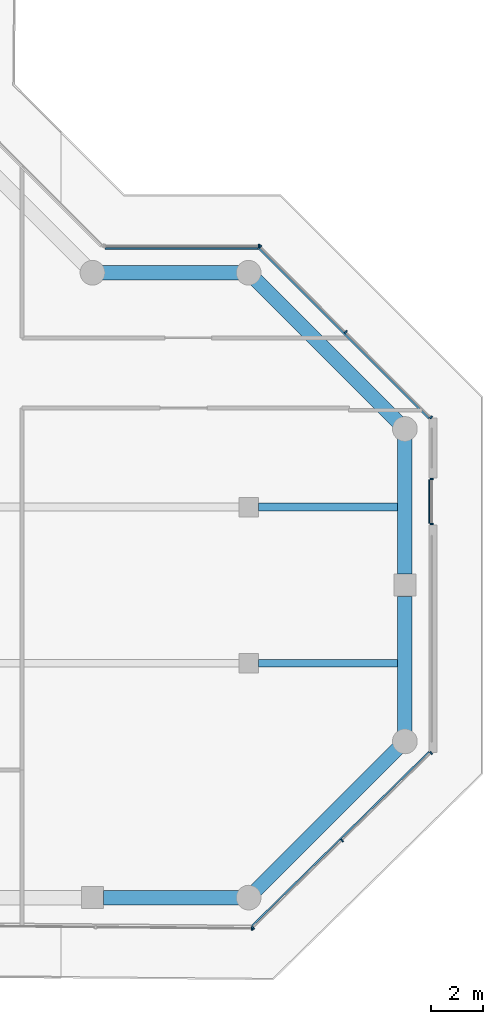
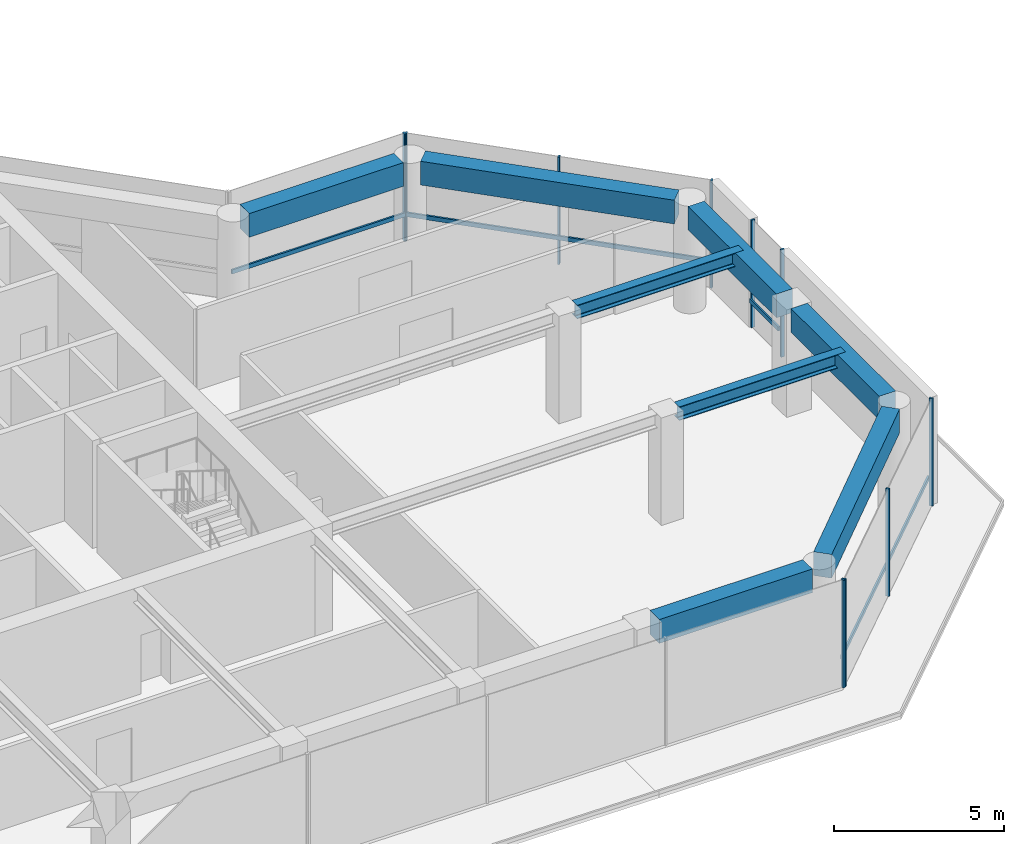
# One storey, part 6 of 19: 14 members, 8 beams, 5 elements without a shape of their own.
"""IFC4 building model written with IfcOpenShell, lengths in metres."""

import ifcopenshell
import ifcopenshell.guid

model = None  # the IFC model being written
_history = None  # IfcOwnerHistory: only IFC2X3 demands one
_inside = {}  # id of a spatial element -> (the spatial element, [elements in it])
_under = {}  # id of a project, library or spatial element -> (it, [spatial elements below it])
_declared = {}  # id of a project -> (the project, [libraries it declares])
_typed = {}  # id of a type object -> (the type object, [elements of that type])
_made_of = {}  # id of a material, layer set ... -> (it, [elements and type objects made of it])


def new_model(schema):
    """Start an empty IFC model of exactly this schema.

    Asked for "IFC4X3", IfcOpenShell would pick the latest addendum, in which some entities
    have other attributes; the version numbers below select the first issue.
    IFC2X3 requires an IfcOwnerHistory on every rooted entity: one is made here for all.
    """
    global model, _history
    if schema == "IFC4X3":
        model = ifcopenshell.file(schema_version=(4, 3, 0, 0))
    else:
        model = ifcopenshell.file(schema=schema)
    _inside.clear()
    _under.clear()
    _declared.clear()
    _typed.clear()
    _made_of.clear()
    _history = None
    if model.schema == "IFC2X3":
        org = make("IfcOrganization", Name="unknown")
        user = make(
            "IfcPersonAndOrganization",
            ThePerson=make("IfcPerson", FamilyName="unknown"),
            TheOrganization=org,
        )
        app = make(
            "IfcApplication",
            ApplicationDeveloper=org,
            Version="unknown",
            ApplicationFullName="unknown",
            ApplicationIdentifier="unknown",
        )
        _history = make(
            "IfcOwnerHistory",
            OwningUser=user,
            OwningApplication=app,
            ChangeAction="ADDED",
            CreationDate=0,
        )
    return model


def make(cls, **values):
    """One entity of the class cls with the attributes given. An attribute that is None is left unset."""
    return model.create_entity(
        cls, **{name: value for name, value in values.items() if value is not None}
    )


def rooted(cls, **values):
    """An entity with a GlobalId (a new one), such as an element, a storey or a relation."""
    return make(cls, GlobalId=ifcopenshell.guid.new(), OwnerHistory=_history, **values)


def si_unit(unit_type, name, prefix=None):
    """IfcSIUnit, for example si_unit("LENGTHUNIT", "METRE", prefix="MILLI")."""
    return make("IfcSIUnit", UnitType=unit_type, Prefix=prefix, Name=name)


def assignment(units):
    """IfcUnitAssignment: the units of a project."""
    return None if units is None else make("IfcUnitAssignment", Units=units)


def point(xyz):
    """IfcCartesianPoint."""
    return None if xyz is None else make("IfcCartesianPoint", Coordinates=xyz)


def direction(xyz):
    """IfcDirection."""
    return None if xyz is None else make("IfcDirection", DirectionRatios=xyz)


def frame(location, z_axis=None, x_axis=None):
    """IfcAxis2Placement3D, a coordinate frame: its origin and axes. An axis left out is left unset."""
    return make(
        "IfcAxis2Placement3D",
        Location=point(location),
        Axis=direction(z_axis),
        RefDirection=direction(x_axis),
    )


def frame_2d(location, x_axis=None):
    """IfcAxis2Placement2D, a coordinate frame in the plane: its origin and x axis."""
    return make(
        "IfcAxis2Placement2D", Location=point(location), RefDirection=direction(x_axis)
    )


def origin():
    """The frame at (0, 0, 0) with its axes left unset."""
    return frame((0.0, 0.0, 0.0))


def origin_2d():
    """The frame at (0, 0) in the plane with its x axis left unset."""
    return frame_2d((0.0, 0.0))


def place(relative_to, where):
    """IfcLocalPlacement: puts the frame where relative to a parent placement (None: the world)."""
    return make(
        "IfcLocalPlacement", PlacementRelTo=relative_to, RelativePlacement=where
    )


def context(
    kind, dimensions, precision=None, world=None, true_north=None, identifier=None
):
    """IfcGeometricRepresentationContext, for example the 3D "Model" context."""
    return make(
        "IfcGeometricRepresentationContext",
        ContextIdentifier=identifier,
        ContextType=kind,
        CoordinateSpaceDimension=dimensions,
        Precision=precision,
        WorldCoordinateSystem=world,
        TrueNorth=true_north,
    )


def subcontext(parent, identifier, kind, view, scale=None):
    """IfcGeometricRepresentationSubContext, for example "Body" below "Model"."""
    return make(
        "IfcGeometricRepresentationSubContext",
        ContextIdentifier=identifier,
        ContextType=kind,
        ParentContext=parent,
        TargetScale=scale,
        TargetView=view,
    )


def project(units=None, contexts=None):
    """IfcProject with its units and contexts."""
    return rooted(
        "IfcProject",
        Name="project",
        RepresentationContexts=contexts,
        UnitsInContext=assignment(units),
    )


def spatial(cls, under=None, at=None, **own):
    """A site, building, storey or space (cls), placed at a placement, below another one or the project."""
    s = rooted(cls, ObjectPlacement=at, **own)
    if under is not None:
        _under.setdefault(under.id(), (under, []))[1].append(s)
    return s


def profile(cls, at=None, kind="AREA", **sizes):
    """A parametric profile (cls). Its sizes go by their IFC names, for example OverallWidth=200.0."""
    return make(cls, ProfileType=kind, Position=at, **sizes)


def rectangle(**sizes):
    """IfcRectangleProfileDef."""
    return profile("IfcRectangleProfileDef", **sizes)


def i_section(**sizes):
    """IfcIShapeProfileDef."""
    return profile("IfcIShapeProfileDef", **sizes)


def extrude(swept, where, along, depth):
    """IfcExtrudedAreaSolid: the profile swept, set in the frame where, extruded along a direction by depth."""
    return make(
        "IfcExtrudedAreaSolid",
        SweptArea=swept,
        Position=where,
        ExtrudedDirection=direction(along),
        Depth=depth,
    )


def shape(context_of_items, identifier, shape_type, items):
    """IfcShapeRepresentation: the items that make up one representation, for example the "Body"."""
    return make(
        "IfcShapeRepresentation",
        ContextOfItems=context_of_items,
        RepresentationIdentifier=identifier,
        RepresentationType=shape_type,
        Items=items,
    )


def material(Name=None, Category=None):
    """IfcMaterial."""
    return make("IfcMaterial", Name=Name, Category=Category)


def layer(
    of_material, thickness, ventilated=None, Name=None, Category=None, Priority=None
):
    """IfcMaterialLayer: one layer of a wall or slab, of a material (None: an air gap)."""
    return make(
        "IfcMaterialLayer",
        Material=of_material,
        LayerThickness=thickness,
        IsVentilated=ventilated,
        Name=Name,
        Category=Category,
        Priority=Priority,
    )


def layer_set(layers, Name=None):
    """IfcMaterialLayerSet."""
    return make("IfcMaterialLayerSet", MaterialLayers=layers, LayerSetName=Name)


def material_profile(
    of_material, cross_section, Name=None, Category=None, Priority=None
):
    """IfcMaterialProfile: a cross section and its material."""
    return make(
        "IfcMaterialProfile",
        Name=Name,
        Material=of_material,
        Profile=cross_section,
        Priority=Priority,
        Category=Category,
    )


def profile_set(profiles, Name=None, composite=None):
    """IfcMaterialProfileSet."""
    return make(
        "IfcMaterialProfileSet",
        Name=Name,
        MaterialProfiles=profiles,
        CompositeProfile=composite,
    )


def made_of(thing, what):
    """Note that an element or type object is made of a material, layer set ...; save() writes the relation."""
    if what is not None:
        _made_of.setdefault(what.id(), (what, []))[1].append(thing)
    return thing


def type_object(cls, material=None, **own):
    """A type object (cls), such as IfcWallType, which elements share."""
    return made_of(rooted(cls, **own), material)


def element(
    cls,
    number,
    at=None,
    inside=None,
    cuts=None,
    type_object=None,
    material=None,
    context=None,
    identifier="Body",
    shape_type=None,
    held_by="IfcProductDefinitionShape",
    body=None,
    shapes=None,
    **own,
):
    """One element of the class cls, such as IfcWall. Its Tag is "e" and its number.

    at: its placement. inside: the storey or other place that contains it. cuts: it is an
    opening in that element (IfcRelVoidsElement). A single representation is given by context,
    identifier, shape_type and body (its items); several are given by shapes. held_by: the class
    of the entity that holds the representations. save() writes the other relations.
    """
    e = rooted(cls, Tag="e%d" % number, ObjectPlacement=at, **own)
    if body is not None:
        shapes = [shape(context, identifier, shape_type, body)]
    if shapes is not None:
        e.Representation = make(held_by, Representations=shapes)
    if inside is not None:
        _inside.setdefault(inside.id(), (inside, []))[1].append(e)
    if cuts is not None:
        rooted(
            "IfcRelVoidsElement", RelatingBuildingElement=cuts, RelatedOpeningElement=e
        )
    if type_object is not None:
        _typed.setdefault(type_object.id(), (type_object, []))[1].append(e)
    return made_of(e, material)


def aggregate(whole, parts):
    """IfcRelAggregates: a whole, such as a stair, and the parts it consists of."""
    return rooted("IfcRelAggregates", RelatingObject=whole, RelatedObjects=parts)


def save(model, path):
    """Write the relations noted so far, then the file.

    IfcRelAggregates (storeys below a building ...), IfcRelContainedInSpatialStructure (elements
    in a storey), IfcRelDefinesByType, IfcRelAssociatesMaterial and IfcRelDeclares: one each for
    every whole, place, type object, material and project.
    """
    for whole, parts in _under.values():
        aggregate(whole, parts)
    for where, things in _inside.values():
        rooted(
            "IfcRelContainedInSpatialStructure",
            RelatedElements=things,
            RelatingStructure=where,
        )
    for kind, things in _typed.values():
        rooted("IfcRelDefinesByType", RelatedObjects=things, RelatingType=kind)
    for what, things in _made_of.values():
        rooted("IfcRelAssociatesMaterial", RelatedObjects=things, RelatingMaterial=what)
    for by, libraries in _declared.values():
        rooted("IfcRelDeclares", RelatingContext=by, RelatedDefinitions=libraries)
    model.write(path)


model = new_model("IFC4")

# Units and contexts
model_context = context("Model", 3, precision=1e-05, world=origin(), true_north=direction((0.0, 1.0)))
body_context = subcontext(model_context, "Body", "Model", "MODEL_VIEW")
ifc_project = project(units=[si_unit("LENGTHUNIT", "METRE"), si_unit("AREAUNIT", "SQUARE_METRE"), si_unit("VOLUMEUNIT", "CUBIC_METRE"), si_unit("PLANEANGLEUNIT", "RADIAN"), si_unit("MASSUNIT", "GRAM", prefix="KILO")], contexts=[model_context])

# Site, building, storey
site_placement = place(None, origin())
site = spatial("IfcSite", under=ifc_project, at=site_placement, CompositionType="ELEMENT")
building_placement = place(site_placement, origin())
building = spatial("IfcBuilding", under=site, at=building_placement, Name="Welwitschia Terrace Campus", CompositionType="ELEMENT")
storey_placement = place(building_placement, frame((0.0, 0.0, 167.60009765625)))
storey = spatial("IfcBuildingStorey", under=building, at=storey_placement, Name="L37", CompositionType="ELEMENT", Elevation=167.60009765625)

# Beams
ifc_material_1 = material(Name="Steel S355", Category="steel")
ifc_material_profile_1 = material_profile(ifc_material_1, i_section(OverallWidth=0.300048828125, OverallDepth=0.489990234375, WebThickness=0.011962890625, FlangeThickness=0.02294921875, FilletRadius=0.027099609375, at=origin_2d()))
ifc_profile_set_1 = profile_set([ifc_material_profile_1], Name="Steel S355")
beam_type_1 = type_object("IfcBeamType", Name="Interior girder HE 500 A", PredefinedType="BEAM", material=ifc_profile_set_1)
for number, where, z_axis, x_axis, name in (
    (1, (36.37548828125, 5.0, 3.60498046875), (1.0, 0.0, 0.0), (0.0, 1.0, 0.0), "Girder GB4"),
    (2, (36.37548828125, 11.0, 3.60498046875), (1.0, 0.0, 0.0), (0.0, 1.0, 0.0), "Girder GB4"),
):
    element("IfcBeam", number, at=place(storey_placement, frame(where, z_axis=z_axis, x_axis=x_axis)), inside=storey, type_object=beam_type_1, Name=name, PredefinedType="BEAM", context=body_context, shape_type="SweptSolid", body=[
        extrude(i_section(OverallWidth=0.300048828125, OverallDepth=0.489990234375, WebThickness=0.011962890625, FlangeThickness=0.02294921875, FilletRadius=0.027099609375, at=origin_2d()), origin(), (0.0, 0.0, 1.0), 5.634521484375),
    ])

# Curtain wall, member
ifc_material_2 = material(Name="Bronze anodised aluminium", Category="aluminium")
ifc_layer = layer(ifc_material_2, 0.1201171875)
ifc_layer_set = layer_set([ifc_layer], Name="Bronze anodised aluminium")
curtain_wall_type = type_object("IfcCurtainWallType", Name="Curtain wall CW2 tower 6000", PredefinedType="NOTDEFINED", material=ifc_layer_set)
curtain_wall_1_placement = place(storey_placement, origin())
curtain_wall_1 = element("IfcCurtainWall", 3, at=curtain_wall_1_placement, inside=storey, type_object=curtain_wall_type, Name="CW L37.5.0", PredefinedType="NOTDEFINED")
ifc_material_3 = material(Name="Bronze anodised aluminium", Category="aluminium")
ifc_material_profile_2 = material_profile(ifc_material_3, rectangle(XDim=0.1201171875, YDim=0.06005859375, at=origin_2d()))
ifc_profile_set_2 = profile_set([ifc_material_profile_2], Name="Bronze anodised aluminium")
member_type_1 = type_object("IfcMemberType", Name="Mullion 60x120", PredefinedType="MULLION", material=ifc_profile_set_2)
member_1_placement = place(storey_placement, frame((36.121337890625, -5.1875, 0.0), z_axis=(0.0, 0.0, 1.0), x_axis=(0.008726535498, 0.999961923064, 0.0)))
member_1 = element("IfcMember", 4, at=member_1_placement, type_object=member_type_1, Name="Mullion L37.5.0.3", PredefinedType="MULLION", context=body_context, shape_type="SweptSolid", body=[
    extrude(rectangle(XDim=0.1201171875, YDim=0.06005859375, at=origin_2d()), origin(), (0.0, 0.0, 1.0), 3.849853515625),
])
aggregate(curtain_wall_1, [member_1])

# Curtain wall, members
curtain_wall_2_placement = place(storey_placement, origin())
curtain_wall_2 = element("IfcCurtainWall", 5, at=curtain_wall_2_placement, inside=storey, type_object=curtain_wall_type, Name="CW L37.6.0", PredefinedType="NOTDEFINED")
member_2_placement = place(storey_placement, frame((36.172607421875, -5.166748046875, 0.0), z_axis=(0.0, 0.0, 1.0), x_axis=(-0.700972910555, 0.713187898571, 0.0)))
member_2 = element("IfcMember", 6, at=member_2_placement, type_object=member_type_1, Name="Mullion L37.6.0.0", PredefinedType="MULLION", context=body_context, shape_type="SweptSolid", body=[
    extrude(rectangle(XDim=0.1201171875, YDim=0.06005859375, at=origin_2d()), origin(), (0.0, 0.0, 1.0), 3.849853515625),
])
member_3_placement = place(storey_placement, frame((39.590576171875, -1.807373046875, 0.0), z_axis=(0.0, 0.0, 1.0), x_axis=(-0.700972910555, 0.713187898571, 0.0)))
member_3 = element("IfcMember", 7, at=member_3_placement, type_object=member_type_1, Name="Mullion L37.6.0.1", PredefinedType="MULLION", context=body_context, shape_type="SweptSolid", body=[
    extrude(rectangle(XDim=0.1201171875, YDim=0.06005859375, at=origin_2d()), origin(), (0.0, 0.0, 1.0), 3.849853515625),
])
member_4_placement = place(storey_placement, frame((43.008544921875, 1.55224609375, 0.0), z_axis=(0.0, 0.0, 1.0), x_axis=(-0.700972910555, 0.713187898571, 0.0)))
member_4 = element("IfcMember", 8, at=member_4_placement, type_object=member_type_1, Name="Mullion L37.6.0.2", PredefinedType="MULLION", context=body_context, shape_type="SweptSolid", body=[
    extrude(rectangle(XDim=0.1201171875, YDim=0.06005859375, at=origin_2d()), origin(), (0.0, 0.0, 1.0), 3.849853515625),
])

curtain_wall_3_placement = place(storey_placement, origin())
curtain_wall_3 = element("IfcCurtainWall", 9, at=curtain_wall_3_placement, inside=storey, type_object=curtain_wall_type, Name="CW L37.7.S0", PredefinedType="NOTDEFINED")
member_5_placement = place(storey_placement, frame((43.030029296875, 10.34326171875, 0.0), z_axis=(0.0, 0.0, 1.0), x_axis=(-1.0, 0.0, 0.0)))
member_5 = element("IfcMember", 10, at=member_5_placement, type_object=member_type_1, Name="Mullion L37.7.S0.0", PredefinedType="MULLION", context=body_context, shape_type="SweptSolid", body=[
    extrude(rectangle(XDim=0.1201171875, YDim=0.06005859375, at=origin_2d()), origin(), (0.0, 0.0, 1.0), 3.849853515625),
])
member_6_placement = place(storey_placement, frame((43.030029296875, 12.083251953125, 0.0), z_axis=(0.0, 0.0, 1.0), x_axis=(-1.0, 0.0, 0.0)))
member_6 = element("IfcMember", 11, at=member_6_placement, type_object=member_type_1, Name="Mullion L37.7.S0.1", PredefinedType="MULLION", context=body_context, shape_type="SweptSolid", body=[
    extrude(rectangle(XDim=0.1201171875, YDim=0.06005859375, at=origin_2d()), origin(), (0.0, 0.0, 1.0), 3.849853515625),
])

curtain_wall_4_placement = place(storey_placement, origin())
curtain_wall_4 = element("IfcCurtainWall", 12, at=curtain_wall_4_placement, inside=storey, type_object=curtain_wall_type, Name="CW L37.8.0", PredefinedType="NOTDEFINED")
member_7_placement = place(storey_placement, frame((43.0087890625, 14.44775390625, 0.0), z_axis=(0.0, 0.0, 1.0), x_axis=(-0.707106781187, -0.707106781187, 0.0)))
member_7 = element("IfcMember", 13, at=member_7_placement, type_object=member_type_1, Name="Mullion L37.8.0.0", PredefinedType="MULLION", context=body_context, shape_type="SweptSolid", body=[
    extrude(rectangle(XDim=0.1201171875, YDim=0.06005859375, at=origin_2d()), origin(), (0.0, 0.0, 1.0), 3.849853515625),
])
member_8_placement = place(storey_placement, frame((39.728271484375, 17.728271484375, 0.0), z_axis=(0.0, 0.0, 1.0), x_axis=(-0.707106781187, -0.707106781187, 0.0)))
member_8 = element("IfcMember", 14, at=member_8_placement, type_object=member_type_1, Name="Mullion L37.8.0.1", PredefinedType="MULLION", context=body_context, shape_type="SweptSolid", body=[
    extrude(rectangle(XDim=0.1201171875, YDim=0.06005859375, at=origin_2d()), origin(), (0.0, 0.0, 1.0), 3.849853515625),
])
member_9_placement = place(storey_placement, frame((36.44775390625, 21.0087890625, 0.0), z_axis=(0.0, 0.0, 1.0), x_axis=(-0.707106781187, -0.707106781187, 0.0)))
member_9 = element("IfcMember", 15, at=member_9_placement, type_object=member_type_1, Name="Mullion L37.8.0.2", PredefinedType="MULLION", context=body_context, shape_type="SweptSolid", body=[
    extrude(rectangle(XDim=0.1201171875, YDim=0.06005859375, at=origin_2d()), origin(), (0.0, 0.0, 1.0), 3.849853515625),
])

# Curtain wall, member
curtain_wall_5_placement = place(storey_placement, origin())
curtain_wall_5 = element("IfcCurtainWall", 16, at=curtain_wall_5_placement, inside=storey, type_object=curtain_wall_type, Name="CW L37.9.0", PredefinedType="NOTDEFINED")
member_10_placement = place(storey_placement, frame((36.396728515625, 21.030029296875, 0.0), z_axis=(0.0, 0.0, 1.0), x_axis=(0.0, -1.0, 0.0)))
member_10 = element("IfcMember", 17, at=member_10_placement, type_object=member_type_1, Name="Mullion L37.9.0.0", PredefinedType="MULLION", context=body_context, shape_type="SweptSolid", body=[
    extrude(rectangle(XDim=0.1201171875, YDim=0.06005859375, at=origin_2d()), origin(), (0.0, 0.0, 1.0), 3.849853515625),
])

# Beams
ifc_material_4 = material(Name="Concrete C50/60", Category="concrete")
ifc_material_profile_3 = material_profile(ifc_material_4, rectangle(XDim=0.550048828125, YDim=0.85009765625, at=origin_2d()))
ifc_profile_set_3 = profile_set([ifc_material_profile_3], Name="Concrete C50/60")
beam_type_2 = type_object("IfcBeamType", Name="Ring spandrel 550x850", PredefinedType="SPANDREL", material=ifc_profile_set_3)
beam_1_placement = place(storey_placement, frame((30.425537109375, -4.0, 3.4248046875), z_axis=(1.0, 0.0, 0.0), x_axis=(0.0, 1.0, 0.0)))
element("IfcBeam", 18, at=beam_1_placement, inside=storey, type_object=beam_type_2, Name="Spandrel SP3", PredefinedType="SPANDREL", context=body_context, shape_type="SweptSolid", body=[
    extrude(rectangle(XDim=0.550048828125, YDim=0.85009765625, at=origin_2d()), origin(), (0.0, 0.0, 1.0), 5.1865234375),
])
beam_2_placement = place(storey_placement, frame((36.2744140625, -3.7255859375, 3.4248046875), z_axis=(0.707106781187, 0.707106781187, 0.0), x_axis=(-0.707106781187, 0.707106781187, 0.0)))
element("IfcBeam", 19, at=beam_2_placement, inside=storey, type_object=beam_type_2, Name="Spandrel SP3", PredefinedType="SPANDREL", context=body_context, shape_type="SweptSolid", body=[
    extrude(rectangle(XDim=0.550048828125, YDim=0.85009765625, at=origin_2d()), origin(), (0.0, 0.0, 1.0), 7.709228515625),
])
for number, where, z_axis, x_axis, name in (
    (20, (42.0, 2.387939453125, 3.4248046875), (0.0, 1.0, 0.0), (-1.0, 0.0, 0.0), "Spandrel SP3"),
    (21, (42.0, 8.425537109375, 3.4248046875), (0.0, 1.0, 0.0), (-1.0, 0.0, 0.0), "Spandrel SP3"),
):
    element("IfcBeam", number, at=place(storey_placement, frame(where, z_axis=z_axis, x_axis=x_axis)), inside=storey, type_object=beam_type_2, Name=name, PredefinedType="SPANDREL", context=body_context, shape_type="SweptSolid", body=[
        extrude(rectangle(XDim=0.550048828125, YDim=0.85009765625, at=origin_2d()), origin(), (0.0, 0.0, 1.0), 5.1865234375),
    ])
beam_3_placement = place(storey_placement, frame((41.7255859375, 14.2744140625, 3.4248046875), z_axis=(-0.707106781187, 0.707106781187, 0.0), x_axis=(-0.707106781187, -0.707106781187, 0.0)))
element("IfcBeam", 22, at=beam_3_placement, inside=storey, type_object=beam_type_2, Name="Spandrel SP3", PredefinedType="SPANDREL", context=body_context, shape_type="SweptSolid", body=[
    extrude(rectangle(XDim=0.550048828125, YDim=0.85009765625, at=origin_2d()), origin(), (0.0, 0.0, 1.0), 7.709228515625),
])
beam_4_placement = place(storey_placement, frame((35.612060546875, 20.0, 3.4248046875), z_axis=(-1.0, 0.0, 0.0), x_axis=(0.0, -1.0, 0.0)))
element("IfcBeam", 23, at=beam_4_placement, inside=storey, type_object=beam_type_2, Name="Spandrel SP3", PredefinedType="SPANDREL", context=body_context, shape_type="SweptSolid", body=[
    extrude(rectangle(XDim=0.550048828125, YDim=0.85009765625, at=origin_2d()), origin(), (0.0, 0.0, 1.0), 5.22412109375),
])

# Member
ifc_material_5 = material(Name="Bronze anodised aluminium", Category="aluminium")
ifc_material_profile_4 = material_profile(ifc_material_5, rectangle(XDim=0.06005859375, YDim=0.14990234375, at=origin_2d()))
ifc_profile_set_4 = profile_set([ifc_material_profile_4], Name="Bronze anodised aluminium")
member_type_2 = type_object("IfcMemberType", Name="Transom 60x150", PredefinedType="USERDEFINED", material=ifc_profile_set_4)
member_11_placement = place(storey_placement, frame((36.130859375, -5.08154296875, 1.0), z_axis=(0.713193442887, 0.70096726958, 0.0), x_axis=(-0.70096726958, 0.713193442887, 0.0)))
member_11 = element("IfcMember", 24, at=member_11_placement, type_object=member_type_2, Name="Transom L37.6.0", ObjectType="TRANSOM", PredefinedType="USERDEFINED", context=body_context, shape_type="SweptSolid", body=[
    extrude(rectangle(XDim=0.06005859375, YDim=0.14990234375, at=origin_2d()), origin(), (0.0, 0.0, 1.0), 9.525146484375),
])

aggregate(curtain_wall_2, [member_2, member_3, member_4, member_11])

member_12_placement = place(storey_placement, frame((42.93994140625, 10.373291015625, 1.0), z_axis=(0.0, 1.0, 0.0), x_axis=(-1.0, 0.0, 0.0)))
member_12 = element("IfcMember", 25, at=member_12_placement, type_object=member_type_2, Name="Transom L37.7.S0", ObjectType="TRANSOM", PredefinedType="USERDEFINED", context=body_context, shape_type="SweptSolid", body=[
    extrude(rectangle(XDim=0.06005859375, YDim=0.14990234375, at=origin_2d()), origin(), (0.0, 0.0, 1.0), 1.679931640625),
])

aggregate(curtain_wall_3, [member_5, member_6, member_12])

member_13_placement = place(storey_placement, frame((42.923828125, 14.405517578125, 1.0), z_axis=(-0.707106781187, 0.707106781187, 0.0), x_axis=(-0.707106781187, -0.707106781187, 0.0)))
member_13 = element("IfcMember", 26, at=member_13_placement, type_object=member_type_2, Name="Transom L37.8.0", ObjectType="TRANSOM", PredefinedType="USERDEFINED", context=body_context, shape_type="SweptSolid", body=[
    extrude(rectangle(XDim=0.06005859375, YDim=0.14990234375, at=origin_2d()), origin(), (0.0, 0.0, 1.0), 9.21826171875),
])

aggregate(curtain_wall_4, [member_7, member_8, member_9, member_13])

member_14_placement = place(storey_placement, frame((36.36669921875, 20.93994140625, 1.0), z_axis=(-1.0, 0.0, 0.0), x_axis=(0.0, -1.0, 0.0)))
member_14 = element("IfcMember", 27, at=member_14_placement, type_object=member_type_2, Name="Transom L37.9.0", ObjectType="TRANSOM", PredefinedType="USERDEFINED", context=body_context, shape_type="SweptSolid", body=[
    extrude(rectangle(XDim=0.06005859375, YDim=0.14990234375, at=origin_2d()), origin(), (0.0, 0.0, 1.0), 5.880126953125),
])

aggregate(curtain_wall_5, [member_10, member_14])

save(model, "model.ifc")
